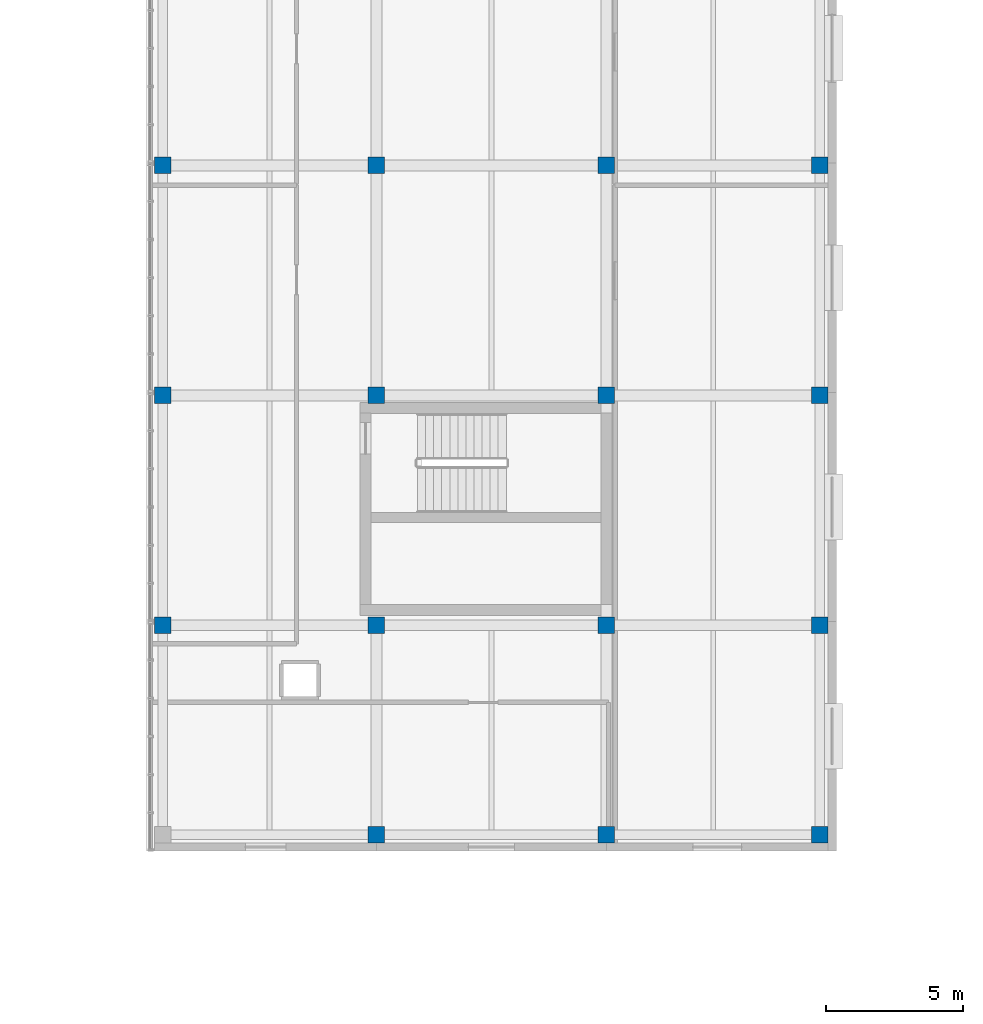
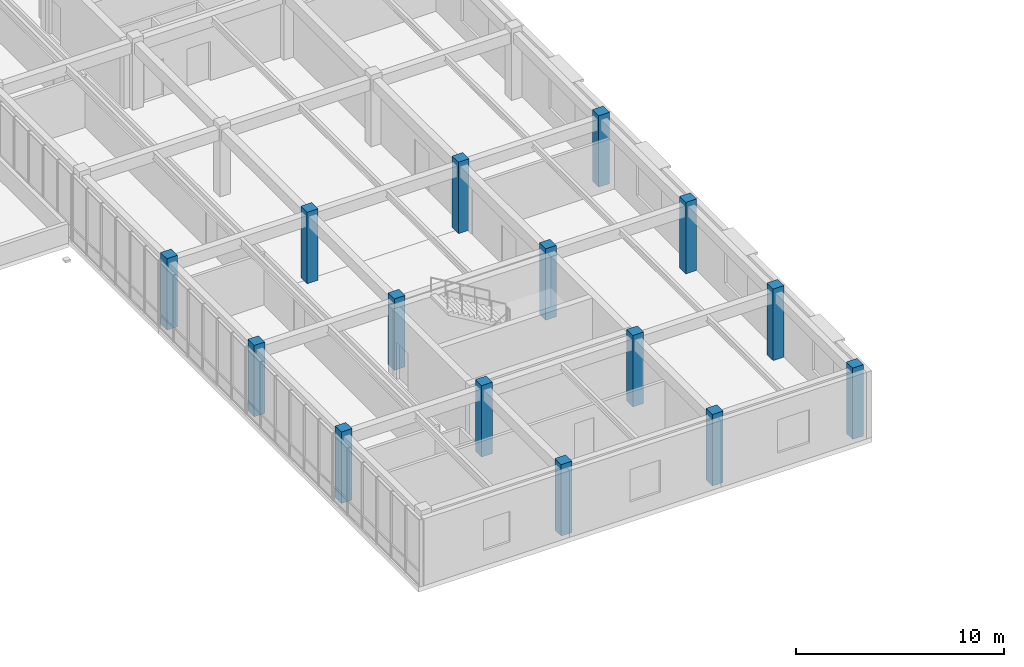
# One storey, part 6 of 123: 15 columns.
"""IFC4 building model written with IfcOpenShell, lengths in metres."""

import ifcopenshell
import ifcopenshell.guid

model = None  # the IFC model being written
_history = None  # IfcOwnerHistory: only IFC2X3 demands one
_inside = {}  # id of a spatial element -> (the spatial element, [elements in it])
_under = {}  # id of a project, library or spatial element -> (it, [spatial elements below it])
_declared = {}  # id of a project -> (the project, [libraries it declares])
_typed = {}  # id of a type object -> (the type object, [elements of that type])
_made_of = {}  # id of a material, layer set ... -> (it, [elements and type objects made of it])


def new_model(schema):
    """Start an empty IFC model of exactly this schema.

    Asked for "IFC4X3", IfcOpenShell would pick the latest addendum, in which some entities
    have other attributes; the version numbers below select the first issue.
    IFC2X3 requires an IfcOwnerHistory on every rooted entity: one is made here for all.
    """
    global model, _history
    if schema == "IFC4X3":
        model = ifcopenshell.file(schema_version=(4, 3, 0, 0))
    else:
        model = ifcopenshell.file(schema=schema)
    _inside.clear()
    _under.clear()
    _declared.clear()
    _typed.clear()
    _made_of.clear()
    _history = None
    if model.schema == "IFC2X3":
        org = make("IfcOrganization", Name="unknown")
        user = make(
            "IfcPersonAndOrganization",
            ThePerson=make("IfcPerson", FamilyName="unknown"),
            TheOrganization=org,
        )
        app = make(
            "IfcApplication",
            ApplicationDeveloper=org,
            Version="unknown",
            ApplicationFullName="unknown",
            ApplicationIdentifier="unknown",
        )
        _history = make(
            "IfcOwnerHistory",
            OwningUser=user,
            OwningApplication=app,
            ChangeAction="ADDED",
            CreationDate=0,
        )
    return model


def make(cls, **values):
    """One entity of the class cls with the attributes given. An attribute that is None is left unset."""
    return model.create_entity(
        cls, **{name: value for name, value in values.items() if value is not None}
    )


def rooted(cls, **values):
    """An entity with a GlobalId (a new one), such as an element, a storey or a relation."""
    return make(cls, GlobalId=ifcopenshell.guid.new(), OwnerHistory=_history, **values)


def si_unit(unit_type, name, prefix=None):
    """IfcSIUnit, for example si_unit("LENGTHUNIT", "METRE", prefix="MILLI")."""
    return make("IfcSIUnit", UnitType=unit_type, Prefix=prefix, Name=name)


def assignment(units):
    """IfcUnitAssignment: the units of a project."""
    return None if units is None else make("IfcUnitAssignment", Units=units)


def point(xyz):
    """IfcCartesianPoint."""
    return None if xyz is None else make("IfcCartesianPoint", Coordinates=xyz)


def direction(xyz):
    """IfcDirection."""
    return None if xyz is None else make("IfcDirection", DirectionRatios=xyz)


def frame(location, z_axis=None, x_axis=None):
    """IfcAxis2Placement3D, a coordinate frame: its origin and axes. An axis left out is left unset."""
    return make(
        "IfcAxis2Placement3D",
        Location=point(location),
        Axis=direction(z_axis),
        RefDirection=direction(x_axis),
    )


def frame_2d(location, x_axis=None):
    """IfcAxis2Placement2D, a coordinate frame in the plane: its origin and x axis."""
    return make(
        "IfcAxis2Placement2D", Location=point(location), RefDirection=direction(x_axis)
    )


def origin():
    """The frame at (0, 0, 0) with its axes left unset."""
    return frame((0.0, 0.0, 0.0))


def origin_2d():
    """The frame at (0, 0) in the plane with its x axis left unset."""
    return frame_2d((0.0, 0.0))


def place(relative_to, where):
    """IfcLocalPlacement: puts the frame where relative to a parent placement (None: the world)."""
    return make(
        "IfcLocalPlacement", PlacementRelTo=relative_to, RelativePlacement=where
    )


def context(
    kind, dimensions, precision=None, world=None, true_north=None, identifier=None
):
    """IfcGeometricRepresentationContext, for example the 3D "Model" context."""
    return make(
        "IfcGeometricRepresentationContext",
        ContextIdentifier=identifier,
        ContextType=kind,
        CoordinateSpaceDimension=dimensions,
        Precision=precision,
        WorldCoordinateSystem=world,
        TrueNorth=true_north,
    )


def subcontext(parent, identifier, kind, view, scale=None):
    """IfcGeometricRepresentationSubContext, for example "Body" below "Model"."""
    return make(
        "IfcGeometricRepresentationSubContext",
        ContextIdentifier=identifier,
        ContextType=kind,
        ParentContext=parent,
        TargetScale=scale,
        TargetView=view,
    )


def project(units=None, contexts=None):
    """IfcProject with its units and contexts."""
    return rooted(
        "IfcProject",
        Name="project",
        RepresentationContexts=contexts,
        UnitsInContext=assignment(units),
    )


def spatial(cls, under=None, at=None, **own):
    """A site, building, storey or space (cls), placed at a placement, below another one or the project."""
    s = rooted(cls, ObjectPlacement=at, **own)
    if under is not None:
        _under.setdefault(under.id(), (under, []))[1].append(s)
    return s


def profile(cls, at=None, kind="AREA", **sizes):
    """A parametric profile (cls). Its sizes go by their IFC names, for example OverallWidth=200.0."""
    return make(cls, ProfileType=kind, Position=at, **sizes)


def rectangle(**sizes):
    """IfcRectangleProfileDef."""
    return profile("IfcRectangleProfileDef", **sizes)


def extrude(swept, where, along, depth):
    """IfcExtrudedAreaSolid: the profile swept, set in the frame where, extruded along a direction by depth."""
    return make(
        "IfcExtrudedAreaSolid",
        SweptArea=swept,
        Position=where,
        ExtrudedDirection=direction(along),
        Depth=depth,
    )


def shape(context_of_items, identifier, shape_type, items):
    """IfcShapeRepresentation: the items that make up one representation, for example the "Body"."""
    return make(
        "IfcShapeRepresentation",
        ContextOfItems=context_of_items,
        RepresentationIdentifier=identifier,
        RepresentationType=shape_type,
        Items=items,
    )


def material(Name=None, Category=None):
    """IfcMaterial."""
    return make("IfcMaterial", Name=Name, Category=Category)


def material_profile(
    of_material, cross_section, Name=None, Category=None, Priority=None
):
    """IfcMaterialProfile: a cross section and its material."""
    return make(
        "IfcMaterialProfile",
        Name=Name,
        Material=of_material,
        Profile=cross_section,
        Priority=Priority,
        Category=Category,
    )


def profile_set(profiles, Name=None, composite=None):
    """IfcMaterialProfileSet."""
    return make(
        "IfcMaterialProfileSet",
        Name=Name,
        MaterialProfiles=profiles,
        CompositeProfile=composite,
    )


def made_of(thing, what):
    """Note that an element or type object is made of a material, layer set ...; save() writes the relation."""
    if what is not None:
        _made_of.setdefault(what.id(), (what, []))[1].append(thing)
    return thing


def type_object(cls, material=None, **own):
    """A type object (cls), such as IfcWallType, which elements share."""
    return made_of(rooted(cls, **own), material)


def element(
    cls,
    number,
    at=None,
    inside=None,
    cuts=None,
    type_object=None,
    material=None,
    context=None,
    identifier="Body",
    shape_type=None,
    held_by="IfcProductDefinitionShape",
    body=None,
    shapes=None,
    **own,
):
    """One element of the class cls, such as IfcWall. Its Tag is "e" and its number.

    at: its placement. inside: the storey or other place that contains it. cuts: it is an
    opening in that element (IfcRelVoidsElement). A single representation is given by context,
    identifier, shape_type and body (its items); several are given by shapes. held_by: the class
    of the entity that holds the representations. save() writes the other relations.
    """
    e = rooted(cls, Tag="e%d" % number, ObjectPlacement=at, **own)
    if body is not None:
        shapes = [shape(context, identifier, shape_type, body)]
    if shapes is not None:
        e.Representation = make(held_by, Representations=shapes)
    if inside is not None:
        _inside.setdefault(inside.id(), (inside, []))[1].append(e)
    if cuts is not None:
        rooted(
            "IfcRelVoidsElement", RelatingBuildingElement=cuts, RelatedOpeningElement=e
        )
    if type_object is not None:
        _typed.setdefault(type_object.id(), (type_object, []))[1].append(e)
    return made_of(e, material)


def aggregate(whole, parts):
    """IfcRelAggregates: a whole, such as a stair, and the parts it consists of."""
    return rooted("IfcRelAggregates", RelatingObject=whole, RelatedObjects=parts)


def save(model, path):
    """Write the relations noted so far, then the file.

    IfcRelAggregates (storeys below a building ...), IfcRelContainedInSpatialStructure (elements
    in a storey), IfcRelDefinesByType, IfcRelAssociatesMaterial and IfcRelDeclares: one each for
    every whole, place, type object, material and project.
    """
    for whole, parts in _under.values():
        aggregate(whole, parts)
    for where, things in _inside.values():
        rooted(
            "IfcRelContainedInSpatialStructure",
            RelatedElements=things,
            RelatingStructure=where,
        )
    for kind, things in _typed.values():
        rooted("IfcRelDefinesByType", RelatedObjects=things, RelatingType=kind)
    for what, things in _made_of.values():
        rooted("IfcRelAssociatesMaterial", RelatedObjects=things, RelatingMaterial=what)
    for by, libraries in _declared.values():
        rooted("IfcRelDeclares", RelatingContext=by, RelatedDefinitions=libraries)
    model.write(path)


model = new_model("IFC4")

# Units and contexts
model_context = context("Model", 3, precision=1e-05, world=origin(), true_north=direction((0.0, 1.0)))
body_context = subcontext(model_context, "Body", "Model", "MODEL_VIEW")
ifc_project = project(units=[si_unit("LENGTHUNIT", "METRE"), si_unit("AREAUNIT", "SQUARE_METRE"), si_unit("VOLUMEUNIT", "CUBIC_METRE"), si_unit("PLANEANGLEUNIT", "RADIAN"), si_unit("MASSUNIT", "GRAM", prefix="KILO")], contexts=[model_context])

# Site, building, storey
site_placement = place(None, origin())
site = spatial("IfcSite", under=ifc_project, at=site_placement, CompositionType="ELEMENT")
building_placement = place(site_placement, origin())
building = spatial("IfcBuilding", under=site, at=building_placement, Name="Zayran Congress Hotel", CompositionType="ELEMENT")
storey_placement = place(building_placement, frame((0.0, 0.0, 15.0)))
storey = spatial("IfcBuildingStorey", under=building, at=storey_placement, Name="L03", CompositionType="ELEMENT", Elevation=15.0)

# Columns
ifc_material = material(Name="Concrete C40/50", Category="concrete")
ifc_material_profile = material_profile(ifc_material, rectangle(XDim=0.60009765625, YDim=0.60009765625, at=origin_2d()), Name="RC 600x600")
ifc_profile_set = profile_set([ifc_material_profile], Name="Concrete C40/50")
column_type = type_object("IfcColumnType", Name="TP-CL-04", PredefinedType="COLUMN", material=ifc_profile_set)
for number, where, z_axis, x_axis, name in (
    (1, (109.800048828125, 50.800048828125, 0.0), (0.0, 0.0, 1.0), (1.0, 0.0, 0.0), "COL-V4-L03-0830"),
    (2, (109.800048828125, 59.199951171875, 0.0), (0.0, 0.0, 1.0), (1.0, 0.0, 0.0), "COL-V4-L03-0831"),
    (3, (109.800048828125, 67.60009765625, 0.0), (0.0, 0.0, 1.0), (1.0, 0.0, 0.0), "COL-V4-L03-0832"),
    (4, (117.60009765625, 43.14990234375, 0.0), (0.0, 0.0, 1.0), (1.0, 0.0, 0.0), "COL-V4-L03-0837"),
    (5, (117.60009765625, 50.800048828125, 0.0), (0.0, 0.0, 1.0), (1.0, 0.0, 0.0), "COL-V4-L03-0838"),
    (6, (117.60009765625, 59.199951171875, 0.0), (0.0, 0.0, 1.0), (1.0, 0.0, 0.0), "COL-V4-L03-0839"),
    (7, (117.60009765625, 67.60009765625, 0.0), (0.0, 0.0, 1.0), (1.0, 0.0, 0.0), "COL-V4-L03-0840"),
    (8, (126.0, 43.14990234375, 0.0), (0.0, 0.0, 1.0), (1.0, 0.0, 0.0), "COL-V4-L03-0845"),
    (9, (126.0, 50.800048828125, 0.0), (0.0, 0.0, 1.0), (1.0, 0.0, 0.0), "COL-V4-L03-0846"),
    (10, (126.0, 59.199951171875, 0.0), (0.0, 0.0, 1.0), (1.0, 0.0, 0.0), "COL-V4-L03-0847"),
    (11, (126.0, 67.60009765625, 0.0), (0.0, 0.0, 1.0), (1.0, 0.0, 0.0), "COL-V4-L03-0848"),
    (12, (133.800048828125, 43.14990234375, 0.0), (0.0, 0.0, 1.0), (1.0, 0.0, 0.0), "COL-V4-L03-0853"),
    (13, (133.800048828125, 50.800048828125, 0.0), (0.0, 0.0, 1.0), (1.0, 0.0, 0.0), "COL-V4-L03-0854"),
    (14, (133.800048828125, 59.199951171875, 0.0), (0.0, 0.0, 1.0), (1.0, 0.0, 0.0), "COL-V4-L03-0855"),
    (15, (133.800048828125, 67.60009765625, 0.0), (0.0, 0.0, 1.0), (1.0, 0.0, 0.0), "COL-V4-L03-0856"),
):
    element("IfcColumn", number, at=place(storey_placement, frame(where, z_axis=z_axis, x_axis=x_axis)), inside=storey, type_object=column_type, Name=name, PredefinedType="COLUMN", context=body_context, shape_type="SweptSolid", body=[
        extrude(rectangle(XDim=0.60009765625, YDim=0.60009765625, at=origin_2d()), origin(), (0.0, 0.0, 1.0), 4.199951171875),
    ])

save(model, "model.ifc")
